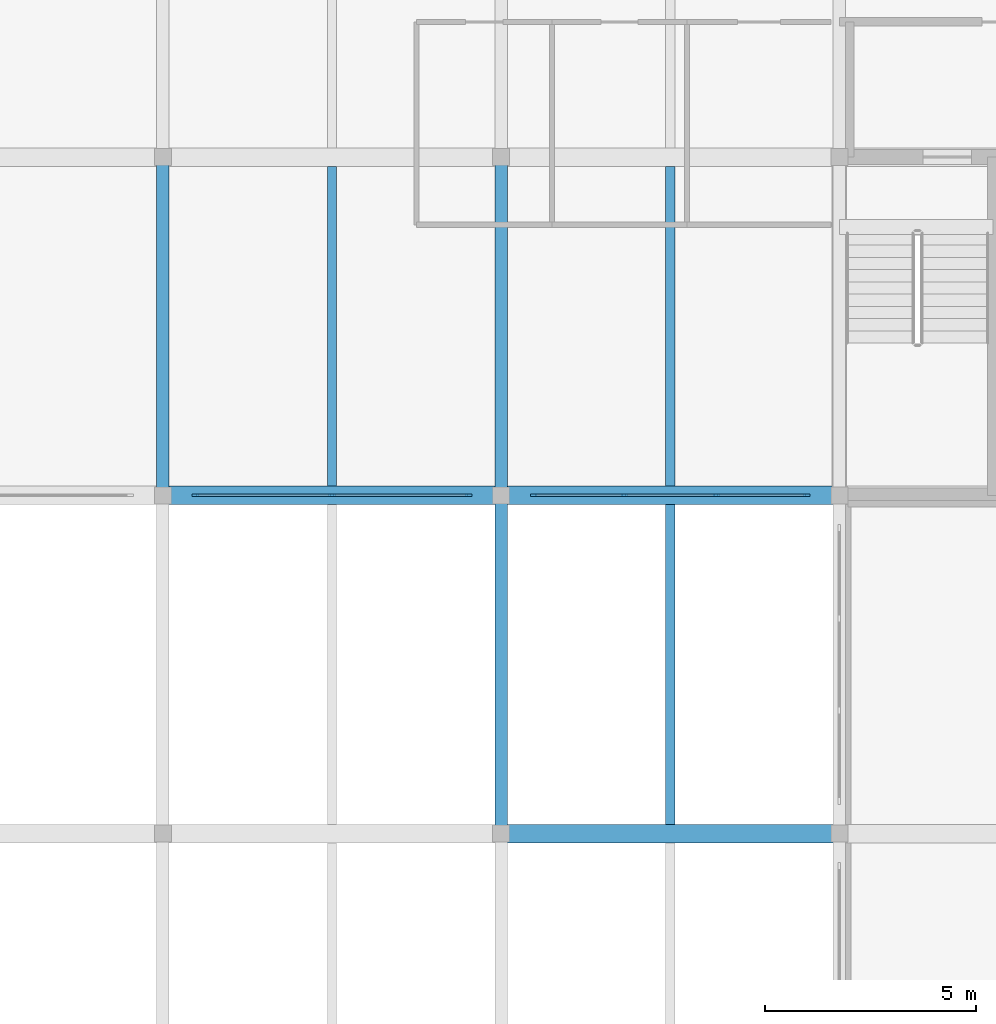
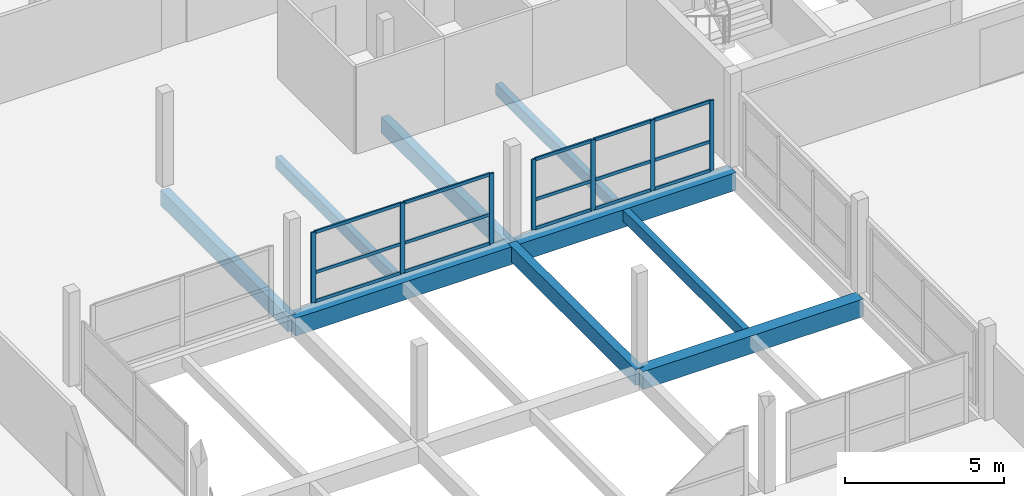
# One storey, part 13 of 51: 22 members, 9 beams, 2 elements without a shape of their own.
"""IFC4 building model written with IfcOpenShell, lengths in metres."""

from ifc_helpers import new_model, si_unit, direction, frame, origin, origin_2d, place, context, subcontext, project, spatial, rectangle, extrude, material, material_profile, profile_set, type_object, element, aggregate, save


model = new_model("IFC4")

# Units and contexts
model_context = context("Model", 3, precision=1e-05, world=origin(), true_north=direction((0.0, 1.0)))
body_context = subcontext(model_context, "Body", "Model", "MODEL_VIEW")
ifc_project = project(units=[si_unit("LENGTHUNIT", "METRE"), si_unit("AREAUNIT", "SQUARE_METRE"), si_unit("VOLUMEUNIT", "CUBIC_METRE"), si_unit("PLANEANGLEUNIT", "RADIAN"), si_unit("MASSUNIT", "GRAM", prefix="KILO")], contexts=[model_context])

# Site, building, storey
site_placement = place(None, origin())
site = spatial("IfcSite", under=ifc_project, at=site_placement, CompositionType="ELEMENT")
building_placement = place(site_placement, origin())
building = spatial("IfcBuilding", under=site, at=building_placement, Name="Vharandega Faculty of Natural Sciences", CompositionType="ELEMENT")
storey_placement = place(building_placement, frame((0.0, 0.0, 18.0)))
storey = spatial("IfcBuildingStorey", under=building, at=storey_placement, Name="L04", CompositionType="ELEMENT", Elevation=18.0)

# Curtain wall, members
ifc_material_1 = material(Name="Aluminium and solar-control glass curtain wall", Category="aluminium")
curtain_wall_type_1 = type_object("IfcCurtainWallType", Name="Unitised Curtain Wall System CW-19", PredefinedType="NOTDEFINED", material=ifc_material_1)
curtain_wall_1_placement = place(storey_placement, origin())
curtain_wall_1 = element("IfcCurtainWall", 1, at=curtain_wall_1_placement, inside=storey, type_object=curtain_wall_type_1, Name="Curtain Wall CW-L04-186", PredefinedType="NOTDEFINED")
ifc_material_2 = material(Name="Thermally broken aluminium 6063-T6", Category="aluminium")
ifc_material_profile_1 = material_profile(ifc_material_2, rectangle(XDim=0.06005859375, YDim=0.159912109375, at=origin_2d()), Name="ALU 60x160")
ifc_profile_set_1 = profile_set([ifc_material_profile_1], Name="Thermally broken aluminium 6063-T6")
member_type_1 = type_object("IfcMemberType", Name="CW Mullion 60x160", PredefinedType="MULLION", material=ifc_profile_set_1)
member_1_placement = place(storey_placement, frame((16.77001953125, 40.0, 0.0), z_axis=(0.0, 0.0, 1.0), x_axis=(0.0, 1.0, 0.0)))
member_1 = element("IfcMember", 2, at=member_1_placement, type_object=member_type_1, Name="CW-19 mullion 1", PredefinedType="MULLION", context=body_context, shape_type="SweptSolid", body=[
    extrude(rectangle(XDim=0.06005859375, YDim=0.159912109375, at=origin_2d()), origin(), (0.0, 0.0, 1.0), 2.699951171875),
])
member_2_placement = place(storey_placement, frame((20.0, 40.0, 0.0), z_axis=(0.0, 0.0, 1.0), x_axis=(0.0, 1.0, 0.0)))
member_2 = element("IfcMember", 3, at=member_2_placement, type_object=member_type_1, Name="CW-19 mullion 2", PredefinedType="MULLION", context=body_context, shape_type="SweptSolid", body=[
    extrude(rectangle(XDim=0.06005859375, YDim=0.159912109375, at=origin_2d()), origin(), (0.0, 0.0, 1.0), 2.699951171875),
])
member_3_placement = place(storey_placement, frame((23.22998046875, 40.0, 0.0), z_axis=(0.0, 0.0, 1.0), x_axis=(0.0, 1.0, 0.0)))
member_3 = element("IfcMember", 4, at=member_3_placement, type_object=member_type_1, Name="CW-19 mullion 3", PredefinedType="MULLION", context=body_context, shape_type="SweptSolid", body=[
    extrude(rectangle(XDim=0.06005859375, YDim=0.159912109375, at=origin_2d()), origin(), (0.0, 0.0, 1.0), 2.699951171875),
])

ifc_material_3 = material(Name="Aluminium and solar-control glass curtain wall", Category="aluminium")
curtain_wall_type_2 = type_object("IfcCurtainWallType", Name="Unitised Curtain Wall System CW-21", PredefinedType="NOTDEFINED", material=ifc_material_3)
curtain_wall_2_placement = place(storey_placement, origin())
curtain_wall_2 = element("IfcCurtainWall", 5, at=curtain_wall_2_placement, inside=storey, type_object=curtain_wall_type_2, Name="Curtain Wall CW-L04-188", PredefinedType="NOTDEFINED")
member_4_placement = place(storey_placement, frame((24.77001953125, 40.0, 0.0), z_axis=(0.0, 0.0, 1.0), x_axis=(0.0, 1.0, 0.0)))
member_4 = element("IfcMember", 6, at=member_4_placement, type_object=member_type_1, Name="CW-21 mullion 1", PredefinedType="MULLION", context=body_context, shape_type="SweptSolid", body=[
    extrude(rectangle(XDim=0.06005859375, YDim=0.159912109375, at=origin_2d()), origin(), (0.0, 0.0, 1.0), 2.699951171875),
])
member_5_placement = place(storey_placement, frame((26.913330078125, 40.0, 0.0), z_axis=(0.0, 0.0, 1.0), x_axis=(0.0, 1.0, 0.0)))
member_5 = element("IfcMember", 7, at=member_5_placement, type_object=member_type_1, Name="CW-21 mullion 2", PredefinedType="MULLION", context=body_context, shape_type="SweptSolid", body=[
    extrude(rectangle(XDim=0.06005859375, YDim=0.159912109375, at=origin_2d()), origin(), (0.0, 0.0, 1.0), 2.699951171875),
])
member_6_placement = place(storey_placement, frame((29.086669921875, 40.0, 0.0), z_axis=(0.0, 0.0, 1.0), x_axis=(0.0, 1.0, 0.0)))
member_6 = element("IfcMember", 8, at=member_6_placement, type_object=member_type_1, Name="CW-21 mullion 3", PredefinedType="MULLION", context=body_context, shape_type="SweptSolid", body=[
    extrude(rectangle(XDim=0.06005859375, YDim=0.159912109375, at=origin_2d()), origin(), (0.0, 0.0, 1.0), 2.699951171875),
])
member_7_placement = place(storey_placement, frame((31.22998046875, 40.0, 0.0), z_axis=(0.0, 0.0, 1.0), x_axis=(0.0, 1.0, 0.0)))
member_7 = element("IfcMember", 9, at=member_7_placement, type_object=member_type_1, Name="CW-21 mullion 4", PredefinedType="MULLION", context=body_context, shape_type="SweptSolid", body=[
    extrude(rectangle(XDim=0.06005859375, YDim=0.159912109375, at=origin_2d()), origin(), (0.0, 0.0, 1.0), 2.699951171875),
])

# Member
ifc_material_4 = material(Name="Thermally broken aluminium 6063-T6", Category="aluminium")
ifc_material_profile_2 = material_profile(ifc_material_4, rectangle(XDim=0.06005859375, YDim=0.1201171875, at=origin_2d()), Name="ALU 60x120")
ifc_profile_set_2 = profile_set([ifc_material_profile_2], Name="Thermally broken aluminium 6063-T6")
member_type_2 = type_object("IfcMemberType", Name="CW Transom 60x120", PredefinedType="USERDEFINED", material=ifc_profile_set_2)
member_8_placement = place(storey_placement, frame((16.800048828125, 40.0, 0.030029296875), z_axis=(1.0, 0.0, 0.0), x_axis=(0.0, 1.0, 0.0)))
member_8 = element("IfcMember", 10, at=member_8_placement, type_object=member_type_2, Name="CW-19 transom 1.1", ObjectType="TRANSOM", PredefinedType="USERDEFINED", context=body_context, shape_type="SweptSolid", body=[
    extrude(rectangle(XDim=0.06005859375, YDim=0.1201171875, at=origin_2d()), origin(), (0.0, 0.0, 1.0), 3.169921875),
])

member_9_placement = place(storey_placement, frame((16.800048828125, 40.0, 1.134033203125), z_axis=(1.0, 0.0, 0.0), x_axis=(0.0, 1.0, 0.0)))
member_9 = element("IfcMember", 11, at=member_9_placement, type_object=member_type_2, Name="CW-19 transom 1.2", ObjectType="TRANSOM", PredefinedType="USERDEFINED", context=body_context, shape_type="SweptSolid", body=[
    extrude(rectangle(XDim=0.06005859375, YDim=0.1201171875, at=origin_2d()), origin(), (0.0, 0.0, 1.0), 3.169921875),
])

member_10_placement = place(storey_placement, frame((16.800048828125, 40.0, 2.669921875), z_axis=(1.0, 0.0, 0.0), x_axis=(0.0, 1.0, 0.0)))
member_10 = element("IfcMember", 12, at=member_10_placement, type_object=member_type_2, Name="CW-19 transom 1.3", ObjectType="TRANSOM", PredefinedType="USERDEFINED", context=body_context, shape_type="SweptSolid", body=[
    extrude(rectangle(XDim=0.06005859375, YDim=0.1201171875, at=origin_2d()), origin(), (0.0, 0.0, 1.0), 3.169921875),
])

member_11_placement = place(storey_placement, frame((20.030029296875, 40.0, 0.030029296875), z_axis=(1.0, 0.0, 0.0), x_axis=(0.0, 1.0, 0.0)))
member_11 = element("IfcMember", 13, at=member_11_placement, type_object=member_type_2, Name="CW-19 transom 2.1", ObjectType="TRANSOM", PredefinedType="USERDEFINED", context=body_context, shape_type="SweptSolid", body=[
    extrude(rectangle(XDim=0.06005859375, YDim=0.1201171875, at=origin_2d()), origin(), (0.0, 0.0, 1.0), 3.169921875),
])

member_12_placement = place(storey_placement, frame((20.030029296875, 40.0, 1.134033203125), z_axis=(1.0, 0.0, 0.0), x_axis=(0.0, 1.0, 0.0)))
member_12 = element("IfcMember", 14, at=member_12_placement, type_object=member_type_2, Name="CW-19 transom 2.2", ObjectType="TRANSOM", PredefinedType="USERDEFINED", context=body_context, shape_type="SweptSolid", body=[
    extrude(rectangle(XDim=0.06005859375, YDim=0.1201171875, at=origin_2d()), origin(), (0.0, 0.0, 1.0), 3.169921875),
])

member_13_placement = place(storey_placement, frame((20.030029296875, 40.0, 2.669921875), z_axis=(1.0, 0.0, 0.0), x_axis=(0.0, 1.0, 0.0)))
member_13 = element("IfcMember", 15, at=member_13_placement, type_object=member_type_2, Name="CW-19 transom 2.3", ObjectType="TRANSOM", PredefinedType="USERDEFINED", context=body_context, shape_type="SweptSolid", body=[
    extrude(rectangle(XDim=0.06005859375, YDim=0.1201171875, at=origin_2d()), origin(), (0.0, 0.0, 1.0), 3.169921875),
])

aggregate(curtain_wall_1, [member_1, member_2, member_3, member_8, member_9, member_10, member_11, member_12, member_13])

member_14_placement = place(storey_placement, frame((24.800048828125, 40.0, 0.030029296875), z_axis=(1.0, 0.0, 0.0), x_axis=(0.0, 1.0, 0.0)))
member_14 = element("IfcMember", 16, at=member_14_placement, type_object=member_type_2, Name="CW-21 transom 1.1", ObjectType="TRANSOM", PredefinedType="USERDEFINED", context=body_context, shape_type="SweptSolid", body=[
    extrude(rectangle(XDim=0.06005859375, YDim=0.1201171875, at=origin_2d()), origin(), (0.0, 0.0, 1.0), 2.083251953125),
])

member_15_placement = place(storey_placement, frame((24.800048828125, 40.0, 1.134033203125), z_axis=(1.0, 0.0, 0.0), x_axis=(0.0, 1.0, 0.0)))
member_15 = element("IfcMember", 17, at=member_15_placement, type_object=member_type_2, Name="CW-21 transom 1.2", ObjectType="TRANSOM", PredefinedType="USERDEFINED", context=body_context, shape_type="SweptSolid", body=[
    extrude(rectangle(XDim=0.06005859375, YDim=0.1201171875, at=origin_2d()), origin(), (0.0, 0.0, 1.0), 2.083251953125),
])

member_16_placement = place(storey_placement, frame((24.800048828125, 40.0, 2.669921875), z_axis=(1.0, 0.0, 0.0), x_axis=(0.0, 1.0, 0.0)))
member_16 = element("IfcMember", 18, at=member_16_placement, type_object=member_type_2, Name="CW-21 transom 1.3", ObjectType="TRANSOM", PredefinedType="USERDEFINED", context=body_context, shape_type="SweptSolid", body=[
    extrude(rectangle(XDim=0.06005859375, YDim=0.1201171875, at=origin_2d()), origin(), (0.0, 0.0, 1.0), 2.083251953125),
])

member_17_placement = place(storey_placement, frame((26.943359375, 40.0, 0.030029296875), z_axis=(1.0, 0.0, 0.0), x_axis=(0.0, 1.0, 0.0)))
member_17 = element("IfcMember", 19, at=member_17_placement, type_object=member_type_2, Name="CW-21 transom 2.1", ObjectType="TRANSOM", PredefinedType="USERDEFINED", context=body_context, shape_type="SweptSolid", body=[
    extrude(rectangle(XDim=0.06005859375, YDim=0.1201171875, at=origin_2d()), origin(), (0.0, 0.0, 1.0), 2.11328125),
])

member_18_placement = place(storey_placement, frame((26.943359375, 40.0, 1.134033203125), z_axis=(1.0, 0.0, 0.0), x_axis=(0.0, 1.0, 0.0)))
member_18 = element("IfcMember", 20, at=member_18_placement, type_object=member_type_2, Name="CW-21 transom 2.2", ObjectType="TRANSOM", PredefinedType="USERDEFINED", context=body_context, shape_type="SweptSolid", body=[
    extrude(rectangle(XDim=0.06005859375, YDim=0.1201171875, at=origin_2d()), origin(), (0.0, 0.0, 1.0), 2.11328125),
])

member_19_placement = place(storey_placement, frame((26.943359375, 40.0, 2.669921875), z_axis=(1.0, 0.0, 0.0), x_axis=(0.0, 1.0, 0.0)))
member_19 = element("IfcMember", 21, at=member_19_placement, type_object=member_type_2, Name="CW-21 transom 2.3", ObjectType="TRANSOM", PredefinedType="USERDEFINED", context=body_context, shape_type="SweptSolid", body=[
    extrude(rectangle(XDim=0.06005859375, YDim=0.1201171875, at=origin_2d()), origin(), (0.0, 0.0, 1.0), 2.11328125),
])

member_20_placement = place(storey_placement, frame((29.11669921875, 40.0, 0.030029296875), z_axis=(1.0, 0.0, 0.0), x_axis=(0.0, 1.0, 0.0)))
member_20 = element("IfcMember", 22, at=member_20_placement, type_object=member_type_2, Name="CW-21 transom 3.1", ObjectType="TRANSOM", PredefinedType="USERDEFINED", context=body_context, shape_type="SweptSolid", body=[
    extrude(rectangle(XDim=0.06005859375, YDim=0.1201171875, at=origin_2d()), origin(), (0.0, 0.0, 1.0), 2.083251953125),
])

member_21_placement = place(storey_placement, frame((29.11669921875, 40.0, 1.134033203125), z_axis=(1.0, 0.0, 0.0), x_axis=(0.0, 1.0, 0.0)))
member_21 = element("IfcMember", 23, at=member_21_placement, type_object=member_type_2, Name="CW-21 transom 3.2", ObjectType="TRANSOM", PredefinedType="USERDEFINED", context=body_context, shape_type="SweptSolid", body=[
    extrude(rectangle(XDim=0.06005859375, YDim=0.1201171875, at=origin_2d()), origin(), (0.0, 0.0, 1.0), 2.083251953125),
])

member_22_placement = place(storey_placement, frame((29.11669921875, 40.0, 2.669921875), z_axis=(1.0, 0.0, 0.0), x_axis=(0.0, 1.0, 0.0)))
member_22 = element("IfcMember", 24, at=member_22_placement, type_object=member_type_2, Name="CW-21 transom 3.3", ObjectType="TRANSOM", PredefinedType="USERDEFINED", context=body_context, shape_type="SweptSolid", body=[
    extrude(rectangle(XDim=0.06005859375, YDim=0.1201171875, at=origin_2d()), origin(), (0.0, 0.0, 1.0), 2.083251953125),
])

aggregate(curtain_wall_2, [member_4, member_5, member_6, member_7, member_14, member_15, member_16, member_17, member_18, member_19, member_20, member_21, member_22])

# Beams
ifc_material_5 = material(Name="Glulam GL28h", Category="wood")
ifc_material_profile_3 = material_profile(ifc_material_5, rectangle(XDim=0.300048828125, YDim=0.60009765625, at=origin_2d()), Name="GL28h 300x600")
ifc_profile_set_3 = profile_set([ifc_material_profile_3], Name="Glulam GL28h")
beam_type_1 = type_object("IfcBeamType", Name="Glulam Floor Beam 300x600", PredefinedType="BEAM", material=ifc_profile_set_3)
for number, where, z_axis, x_axis, name in (
    (25, (16.0, 40.0, -0.52001953125), (0.0, 1.0, 0.0), (-1.0, 0.0, 0.0), "Beam L04 3/F-G"),
    (26, (24.0, 32.0, -0.52001953125), (0.0, 1.0, 0.0), (-1.0, 0.0, 0.0), "Beam L04 4/E-F"),
    (27, (24.0, 40.0, -0.52001953125), (0.0, 1.0, 0.0), (-1.0, 0.0, 0.0), "Beam L04 4/F-G"),
):
    element("IfcBeam", number, at=place(storey_placement, frame(where, z_axis=z_axis, x_axis=x_axis)), inside=storey, type_object=beam_type_1, Name=name, PredefinedType="BEAM", context=body_context, shape_type="SweptSolid", body=[
        extrude(rectangle(XDim=0.300048828125, YDim=0.60009765625, at=origin_2d()), origin(), (0.0, 0.0, 1.0), 8.0),
    ])
ifc_material_6 = material(Name="Glulam GL32h", Category="wood")
ifc_material_profile_4 = material_profile(ifc_material_6, rectangle(XDim=0.43994140625, YDim=0.679931640625, at=origin_2d()), Name="GL32h 440x680")
ifc_profile_set_4 = profile_set([ifc_material_profile_4], Name="Glulam GL32h")
beam_type_2 = type_object("IfcBeamType", Name="Glulam Girder 440x680", PredefinedType="BEAM", material=ifc_profile_set_4)
for number, where, z_axis, x_axis, name in (
    (28, (24.0, 32.0, -0.56005859375), (1.0, 0.0, 0.0), (0.0, 1.0, 0.0), "Beam L04 E/4-5"),
    (29, (16.0, 40.0, -0.56005859375), (1.0, 0.0, 0.0), (0.0, 1.0, 0.0), "Beam L04 F/3-4"),
    (30, (24.0, 40.0, -0.56005859375), (1.0, 0.0, 0.0), (0.0, 1.0, 0.0), "Beam L04 F/4-5"),
):
    element("IfcBeam", number, at=place(storey_placement, frame(where, z_axis=z_axis, x_axis=x_axis)), inside=storey, type_object=beam_type_2, Name=name, PredefinedType="BEAM", context=body_context, shape_type="SweptSolid", body=[
        extrude(rectangle(XDim=0.43994140625, YDim=0.679931640625, at=origin_2d()), origin(), (0.0, 0.0, 1.0), 8.0),
    ])
ifc_material_7 = material(Name="Glulam GL28h", Category="wood")
ifc_material_profile_5 = material_profile(ifc_material_7, rectangle(XDim=0.219970703125, YDim=0.43994140625, at=origin_2d()), Name="GL28h 220x440")
ifc_profile_set_5 = profile_set([ifc_material_profile_5], Name="Glulam GL28h")
beam_type_3 = type_object("IfcBeamType", Name="Glulam Secondary Joist 220x440", PredefinedType="JOIST", material=ifc_profile_set_5)
for number, where, z_axis, x_axis, name in (
    (31, (20.0, 40.219970703125, -0.43994140625), (0.0, 1.0, 0.0), (-1.0, 0.0, 0.0), "Secondary Joist L04 3-4/F-G"),
    (32, (28.0, 32.219970703125, -0.43994140625), (0.0, 1.0, 0.0), (-1.0, 0.0, 0.0), "Secondary Joist L04 4-5/E-F"),
    (33, (28.0, 40.219970703125, -0.43994140625), (0.0, 1.0, 0.0), (-1.0, 0.0, 0.0), "Secondary Joist L04 4-5/F-G"),
):
    element("IfcBeam", number, at=place(storey_placement, frame(where, z_axis=z_axis, x_axis=x_axis)), inside=storey, type_object=beam_type_3, Name=name, PredefinedType="JOIST", context=body_context, shape_type="SweptSolid", body=[
        extrude(rectangle(XDim=0.219970703125, YDim=0.43994140625, at=origin_2d()), origin(), (0.0, 0.0, 1.0), 7.56005859375),
    ])

save(model, "model.ifc")
